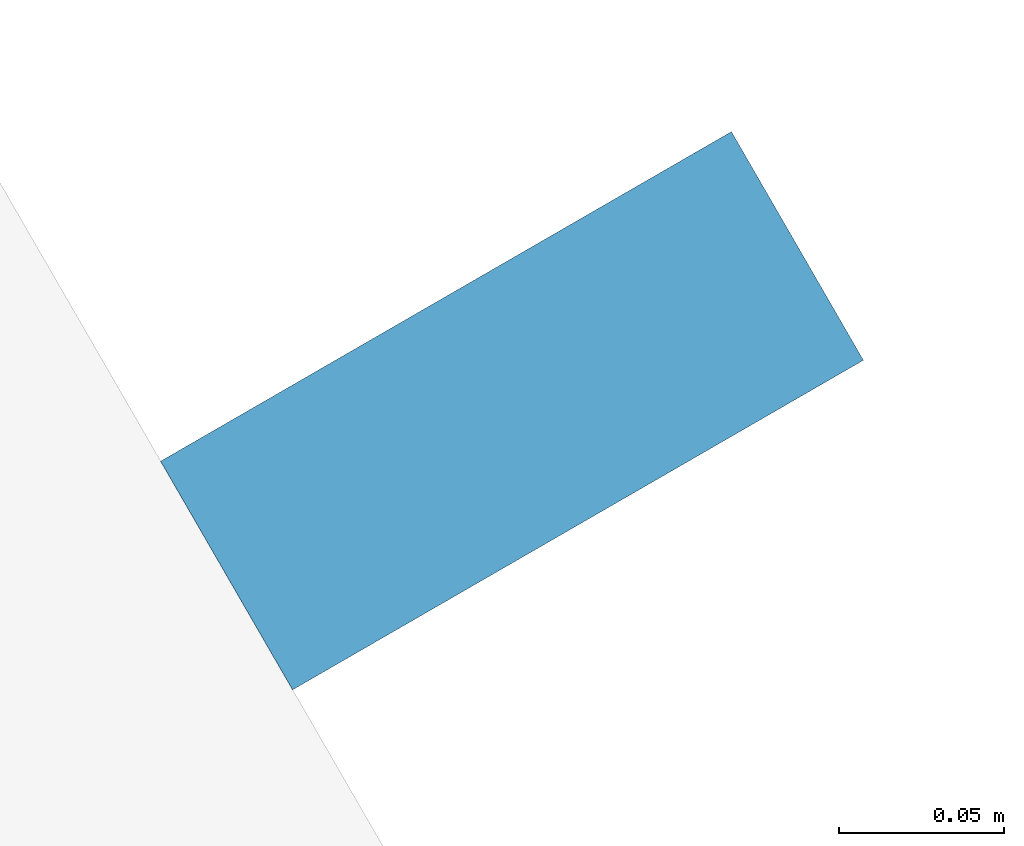
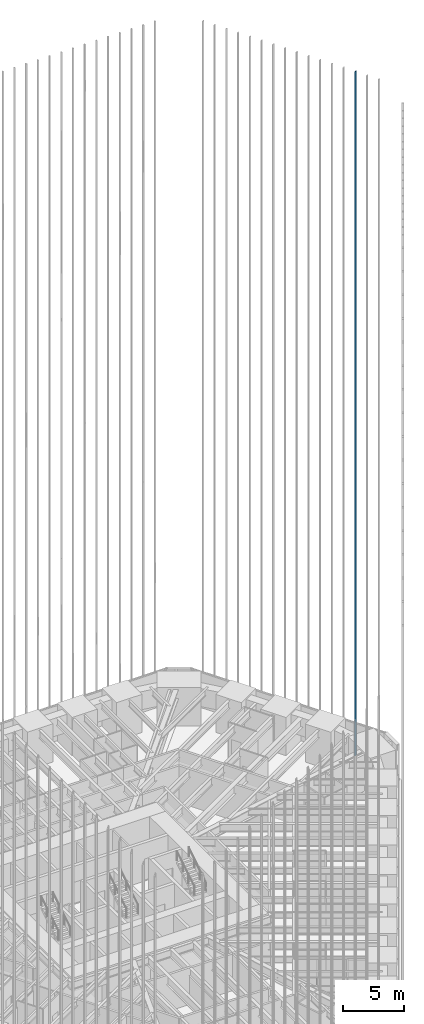
# One storey, part 202 of 256: 1 member, 1 element without a shape of its own.
"""IFC4 building model written with IfcOpenShell, lengths in metres."""

from ifc_helpers import new_model, si_unit, direction, frame, origin, origin_2d, place, context, subcontext, project, spatial, rectangle, extrude, material, material_profile, profile_set, type_object, element, aggregate, save


model = new_model("IFC4")

# Units and contexts
model_context = context("Model", 3, precision=1e-05, world=origin(), true_north=direction((0.0, 1.0)))
body_context = subcontext(model_context, "Body", "Model", "MODEL_VIEW")
ifc_project = project(units=[si_unit("LENGTHUNIT", "METRE"), si_unit("AREAUNIT", "SQUARE_METRE"), si_unit("VOLUMEUNIT", "CUBIC_METRE"), si_unit("PLANEANGLEUNIT", "RADIAN"), si_unit("MASSUNIT", "GRAM", prefix="KILO")], contexts=[model_context])

# Site, building, storey
site_placement = place(None, origin())
site = spatial("IfcSite", under=ifc_project, at=site_placement, CompositionType="ELEMENT")
building_placement = place(site_placement, origin())
building = spatial("IfcBuilding", under=site, at=building_placement, Name="Sandreach Pilgrim Tower", CompositionType="ELEMENT")
storey_placement = place(building_placement, frame((0.0, 0.0, 23.0)))
storey = spatial("IfcBuildingStorey", under=building, at=storey_placement, Name="L04", CompositionType="ELEMENT", Elevation=23.0)

# Curtain wall, member
ifc_material_1 = material(Name="Aluminium framed curtain wall", Category="aluminium")
curtain_wall_type = type_object("IfcCurtainWallType", Name="Hostel tower curtain wall", PredefinedType="NOTDEFINED", material=ifc_material_1)
curtain_wall_placement = place(storey_placement, origin())
curtain_wall = element("IfcCurtainWall", 1, at=curtain_wall_placement, inside=storey, type_object=curtain_wall_type, Name="CW-1 L04 NE", PredefinedType="NOTDEFINED")
ifc_material_2 = material(Name="Extruded terracotta on aluminium core", Category="masonry")
ifc_material_profile = material_profile(ifc_material_2, rectangle(XDim=0.080078125, YDim=0.199951171875, at=origin_2d()), Name="TBE 80X200")
ifc_profile_set = profile_set([ifc_material_profile], Name="Extruded terracotta on aluminium core")
member_type = type_object("IfcMemberType", Name="Terracotta baguette east", PredefinedType="USERDEFINED", material=ifc_profile_set)
member_placement = place(storey_placement, frame((29.378662109375, 9.936279296875, 0.0), z_axis=(0.0, 0.0, 1.0), x_axis=(0.5, -0.866025403784, 0.0)))
member = element("IfcMember", 2, at=member_placement, type_object=member_type, Name="Baguette Z1 NE14", ObjectType="BAGUETTE", PredefinedType="USERDEFINED", context=body_context, shape_type="SweptSolid", body=[
    extrude(rectangle(XDim=0.080078125, YDim=0.199951171875, at=origin_2d()), origin(), (0.0, 0.0, 1.0), 68.239990234375),
])
aggregate(curtain_wall, [member])

save(model, "model.ifc")
